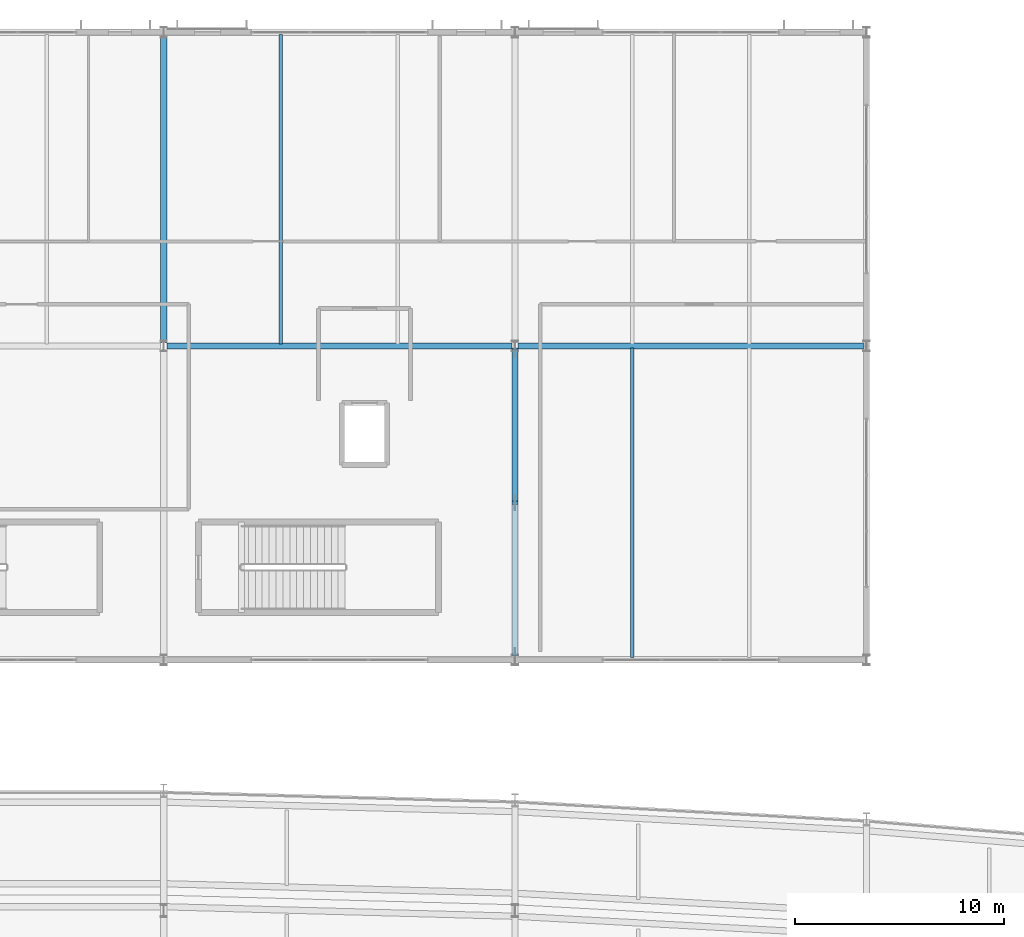
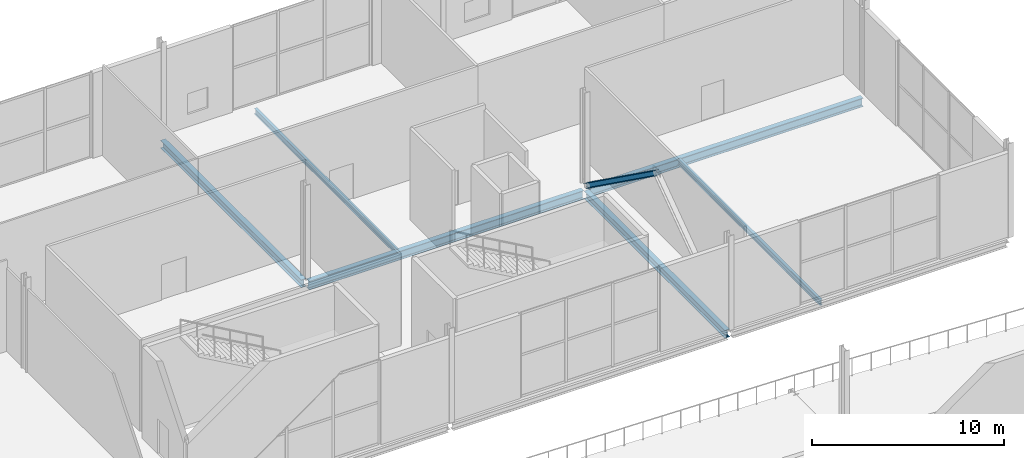
# One storey, part 43 of 100: 6 beams, 1 member.
"""IFC4 building model written with IfcOpenShell, lengths in metres."""

from ifc_helpers import new_model, si_unit, direction, frame, origin, origin_2d, place, context, subcontext, project, spatial, i_section, extrude, material, material_profile, profile_set, type_object, element, save


model = new_model("IFC4")

# Units and contexts
model_context = context("Model", 3, precision=1e-05, world=origin(), true_north=direction((0.0, 1.0)))
body_context = subcontext(model_context, "Body", "Model", "MODEL_VIEW")
ifc_project = project(units=[si_unit("LENGTHUNIT", "METRE"), si_unit("AREAUNIT", "SQUARE_METRE"), si_unit("VOLUMEUNIT", "CUBIC_METRE"), si_unit("PLANEANGLEUNIT", "RADIAN"), si_unit("MASSUNIT", "GRAM", prefix="KILO")], contexts=[model_context])

# Site, building, storey
site_placement = place(None, origin())
site = spatial("IfcSite", under=ifc_project, at=site_placement, CompositionType="ELEMENT")
building_placement = place(site_placement, origin())
building = spatial("IfcBuilding", under=site, at=building_placement, Name="Kimbaza Rail Terminus", CompositionType="ELEMENT")
storey_placement = place(building_placement, frame((0.0, 0.0, 10.800048828125)))
storey = spatial("IfcBuildingStorey", under=building, at=storey_placement, Name="L02", CompositionType="ELEMENT", Elevation=10.800048828125)

# Beams
ifc_material_1 = material(Name="Steel S355", Category="steel")
ifc_material_profile_1 = material_profile(ifc_material_1, i_section(OverallWidth=0.300048828125, OverallDepth=0.5, WebThickness=0.014404296875, FlangeThickness=0.028076171875, FilletRadius=0.027099609375, at=origin_2d()), Name="HEB 500")
ifc_profile_set_1 = profile_set([ifc_material_profile_1], Name="Steel S355")
beam_type_1 = type_object("IfcBeamType", Name="STR-BM-HEB500", PredefinedType="BEAM", material=ifc_profile_set_1)
for number, where, z_axis, x_axis, name in (
    (1, (122.39990234375, 118.175048828125, -0.489990234375), (0.0, 1.0, 0.0), (-1.0, 0.0, 0.0), "Operations Cross Girder L02 X4-Y1"),
    (2, (139.199951171875, 103.175048828125, -0.489990234375), (0.0, 1.0, 0.0), (-1.0, 0.0, 0.0), "Operations Cross Girder L02 X5-Y0"),
):
    element("IfcBeam", number, at=place(storey_placement, frame(where, z_axis=z_axis, x_axis=x_axis)), inside=storey, type_object=beam_type_1, Name=name, PredefinedType="BEAM", context=body_context, shape_type="SweptSolid", body=[
        extrude(i_section(OverallWidth=0.300048828125, OverallDepth=0.5, WebThickness=0.014404296875, FlangeThickness=0.028076171875, FilletRadius=0.027099609375, at=origin_2d()), origin(), (0.0, 0.0, 1.0), 14.64990234375),
    ])
ifc_material_2 = material(Name="Steel S355", Category="steel")
ifc_material_profile_2 = material_profile(ifc_material_2, i_section(OverallWidth=0.300048828125, OverallDepth=0.550048828125, WebThickness=0.014892578125, FlangeThickness=0.029052734375, FilletRadius=0.027099609375, at=origin_2d()), Name="HEB 550")
ifc_profile_set_2 = profile_set([ifc_material_profile_2], Name="Steel S355")
beam_type_2 = type_object("IfcBeamType", Name="STR-BM-HEB550", PredefinedType="BEAM", material=ifc_profile_set_2)
for number, where, z_axis, x_axis, name in (
    (3, (122.5458984375, 118.0, -0.51513671875), (1.0, 0.0, 0.0), (0.0, 1.0, 0.0), "Operations Girder L02 X4-Y1"),
    (4, (139.345947265625, 118.0, -0.51513671875), (1.0, 0.0, 0.0), (0.0, 1.0, 0.0), "Operations Girder L02 X5-Y1"),
):
    element("IfcBeam", number, at=place(storey_placement, frame(where, z_axis=z_axis, x_axis=x_axis)), inside=storey, type_object=beam_type_2, Name=name, PredefinedType="BEAM", context=body_context, shape_type="SweptSolid", body=[
        extrude(i_section(OverallWidth=0.300048828125, OverallDepth=0.550048828125, WebThickness=0.014892578125, FlangeThickness=0.029052734375, FilletRadius=0.027099609375, at=origin_2d()), origin(), (0.0, 0.0, 1.0), 16.508056640625),
    ])
ifc_material_3 = material(Name="Steel S355", Category="steel")
ifc_material_profile_3 = material_profile(ifc_material_3, i_section(OverallWidth=0.169921875, OverallDepth=0.360107421875, WebThickness=0.008056640625, FlangeThickness=0.0126953125, FilletRadius=0.01806640625, at=origin_2d()), Name="IPE 360")
ifc_profile_set_3 = profile_set([ifc_material_profile_3], Name="Steel S355")
beam_type_3 = type_object("IfcBeamType", Name="STR-BM-IPE360", PredefinedType="JOIST", material=ifc_profile_set_3)
for number, where, z_axis, x_axis, name in (
    (5, (128.0, 118.10009765625, -0.420166015625), (0.0, 1.0, 0.0), (-1.0, 0.0, 0.0), "Operations Secondary Joist L02"),
    (6, (144.800048828125, 103.10009765625, -0.420166015625), (0.0, 1.0, 0.0), (-1.0, 0.0, 0.0), "Operations Secondary Joist L02"),
):
    element("IfcBeam", number, at=place(storey_placement, frame(where, z_axis=z_axis, x_axis=x_axis)), inside=storey, type_object=beam_type_3, Name=name, PredefinedType="JOIST", context=body_context, shape_type="SweptSolid", body=[
        extrude(i_section(OverallWidth=0.169921875, OverallDepth=0.360107421875, WebThickness=0.008056640625, FlangeThickness=0.0126953125, FilletRadius=0.01806640625, at=origin_2d()), origin(), (0.0, 0.0, 1.0), 14.7998046875),
    ])

# Member
ifc_material_4 = material(Name="Steel S355", Category="steel")
ifc_material_profile_4 = material_profile(ifc_material_4, i_section(OverallWidth=0.300048828125, OverallDepth=0.300048828125, WebThickness=0.010986328125, FlangeThickness=0.01904296875, FilletRadius=0.027099609375, at=origin_2d()), Name="HEB 300")
ifc_profile_set_4 = profile_set([ifc_material_profile_4], Name="Steel S355")
member_type = type_object("IfcMemberType", Name="STR-MB-HEB300", PredefinedType="BRACE", material=ifc_profile_set_4)
member_placement = place(storey_placement, frame((139.199951171875, 117.820068359375, 0.050048828125), z_axis=(0.0, -0.812609404068, 0.582808679088), x_axis=(1.0, 0.0, 0.0)))
element("IfcMember", 7, at=member_placement, inside=storey, type_object=member_type, Name="Core Chevron Brace 7B", PredefinedType="BRACE", context=body_context, shape_type="SweptSolid", body=[
    extrude(i_section(OverallWidth=0.300048828125, OverallDepth=0.300048828125, WebThickness=0.010986328125, FlangeThickness=0.01904296875, FilletRadius=0.027099609375, at=origin_2d()), origin(), (0.0, 0.0, 1.0), 9.008056640625),
])

save(model, "model.ifc")
